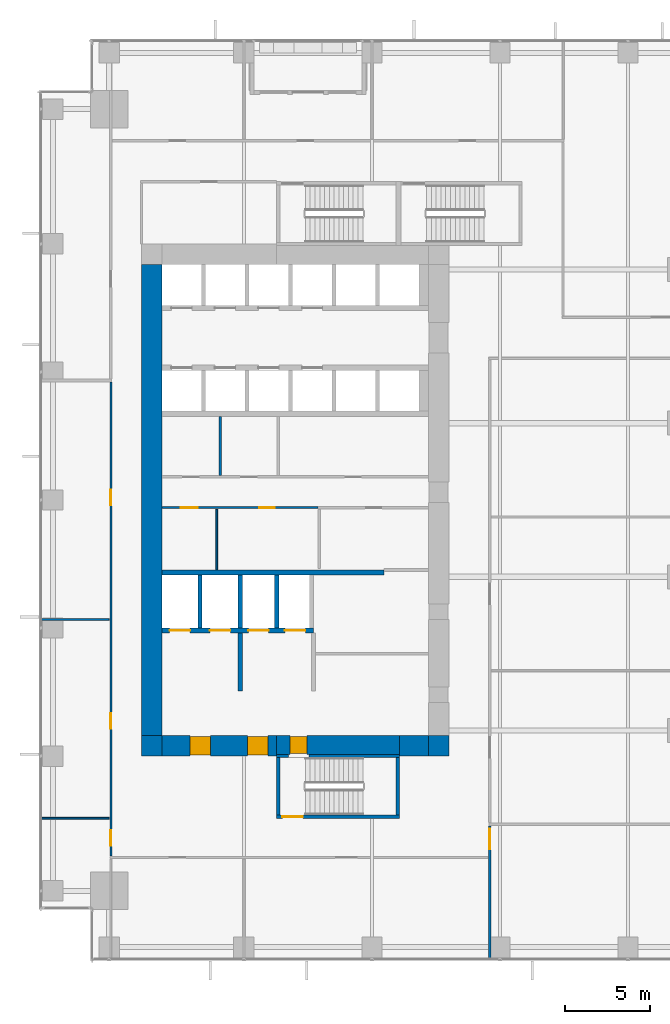
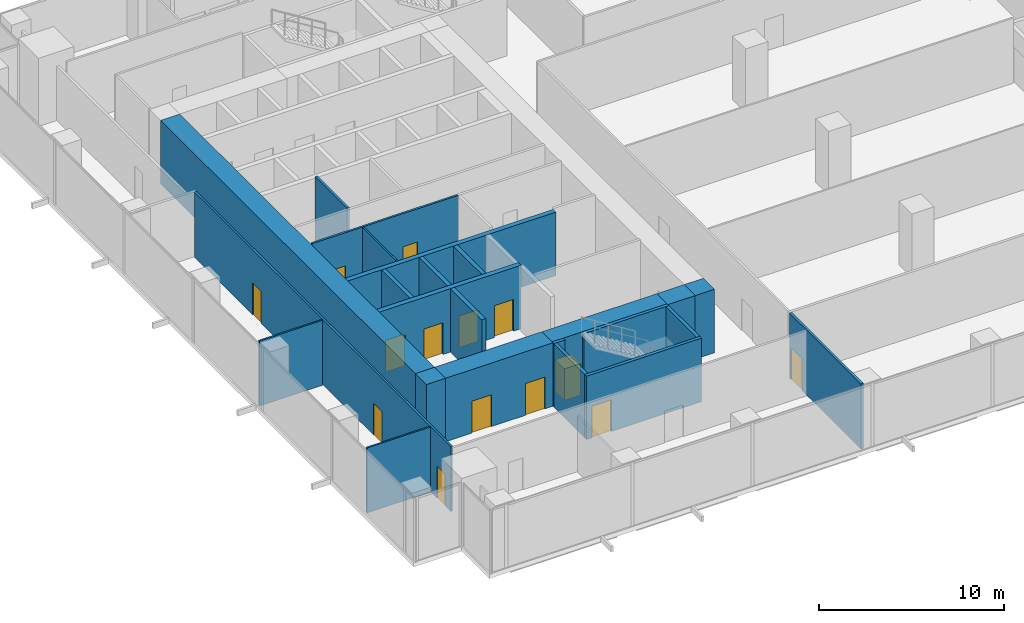
# One storey, part 26 of 32: 24 walls, 14 doors, 14 openings.
"""IFC4 building model written with IfcOpenShell, lengths in metres."""

from ifc_helpers import new_model, si_unit, direction, frame, frame_2d, origin, place, context, subcontext, project, spatial, rectangle, extrude, source, transform, mapped, material, layer, layer_set, type_object, element, fill, save


model = new_model("IFC4")

# Units and contexts
model_context = context("Model", 3, precision=1e-05, world=origin(), true_north=direction((0.0, 1.0)))
body_context = subcontext(model_context, "Body", "Model", "MODEL_VIEW")
ifc_project = project(units=[si_unit("LENGTHUNIT", "METRE"), si_unit("AREAUNIT", "SQUARE_METRE"), si_unit("VOLUMEUNIT", "CUBIC_METRE"), si_unit("PLANEANGLEUNIT", "RADIAN"), si_unit("MASSUNIT", "GRAM", prefix="KILO")], contexts=[model_context])

# Site, building, storey
site_placement = place(None, origin())
site = spatial("IfcSite", under=ifc_project, at=site_placement, CompositionType="ELEMENT")
building_placement = place(site_placement, origin())
building = spatial("IfcBuilding", under=site, at=building_placement, Name="Khomas Fold Tower", CompositionType="ELEMENT")
storey_placement = place(building_placement, frame((0.0, 0.0, 37.5)))
storey = spatial("IfcBuildingStorey", under=building, at=storey_placement, Name="L07", CompositionType="ELEMENT", Elevation=37.5)

# Wall, openings, doors
ifc_material_1 = material(Name="Concrete C70/85", Category="concrete")
ifc_layer_1 = layer(ifc_material_1, 1.199951171875)
ifc_layer_set_1 = layer_set([ifc_layer_1], Name="Concrete C70/85")
wall_type_1 = type_object("IfcWallType", Name="Core wall 1200", PredefinedType="SHEAR", material=ifc_layer_set_1)
shared_shape_1 = source(origin(), body_context, "Body", "SweptSolid", [
    extrude(rectangle(XDim=6.699951171875, YDim=1.199951171875, at=frame_2d((3.35009765625, 0.0))), origin(), (0.0, 0.0, 1.0), 4.199951171875),
])
wall_1_placement = place(storey_placement, frame((7.199951171875, 12.60009765625, 0.0), z_axis=(0.0, 0.0, 1.0), x_axis=(1.0, 0.0, 0.0)))
wall_1 = element("IfcWall", 1, at=wall_1_placement, inside=storey, type_object=wall_type_1, Name="Core wall CW-L-S-B2", PredefinedType="SHEAR", context=body_context, shape_type="MappedRepresentation", body=[
    mapped(shared_shape_1, transform((0.0, 0.0, 0.0))),
])
shared_shape_2 = source(origin(), body_context, "Body", "SweptSolid", [
    extrude(rectangle(XDim=1.199951171875, YDim=2.10009765625, at=frame_2d((0.60009765625, 1.050048828125))), frame((0.0, 0.60986328125, 0.0), z_axis=(0.0, -1.0, 0.0), x_axis=(1.0, 0.0, 0.0)), (0.0, 0.0, 1.0), 1.219970703125),
])
opening_1_placement = place(wall_1_placement, frame((5.0, 0.0, 0.0)))
opening_1 = element("IfcOpeningElement", 2, at=opening_1_placement, cuts=wall_1, Name="Opening 0009", PredefinedType="OPENING", context=body_context, shape_type="MappedRepresentation", body=[
    mapped(shared_shape_2, transform((0.0, 0.0, 0.0))),
])
opening_2_placement = place(wall_1_placement, frame((1.64990234375, 0.0, 0.0)))
opening_2 = element("IfcOpeningElement", 3, at=opening_2_placement, cuts=wall_1, Name="Opening 0009", PredefinedType="OPENING", context=body_context, shape_type="MappedRepresentation", body=[
    mapped(shared_shape_2, transform((0.0, 0.0, 0.0))),
])
ifc_material_2 = material(Name="Steel door leaf", Category="steel")
door_type_1 = type_object("IfcDoorType", Name="Lobby door 1200x2100 right-hand", OperationType="SINGLE_SWING_RIGHT", PredefinedType="DOOR", material=ifc_material_2)
shared_shape_3 = source(origin(), body_context, "Body", "SweptSolid", [
    extrude(rectangle(XDim=1.199951171875, YDim=2.10009765625, at=frame_2d((0.60009765625, 1.050048828125))), frame((0.0, 0.5498046875, 0.0), z_axis=(0.0, -1.0, 0.0), x_axis=(1.0, 0.0, 0.0)), (0.0, 0.0, 1.0), 1.099853515625),
])
door_1_placement = place(opening_1_placement, origin())
door_1 = element("IfcDoor", 4, at=door_1_placement, inside=storey, type_object=door_type_1, Name="Lobby door", OperationType="SINGLE_SWING_RIGHT", OverallHeight=2.10009765625, OverallWidth=1.199951171875, PredefinedType="DOOR", context=body_context, shape_type="MappedRepresentation", body=[
    mapped(shared_shape_3, transform((0.0, 0.0, 0.0))),
])
fill(opening_1, door_1)
door_2_placement = place(opening_2_placement, origin())
door_2 = element("IfcDoor", 5, at=door_2_placement, inside=storey, type_object=door_type_1, Name="Lobby door", OperationType="SINGLE_SWING_RIGHT", OverallHeight=2.10009765625, OverallWidth=1.199951171875, PredefinedType="DOOR", context=body_context, shape_type="MappedRepresentation", body=[
    mapped(shared_shape_3, transform((0.0, 0.0, 0.0))),
])
fill(opening_2, door_2)

# Walls
ifc_material_3 = material(Name="Concrete C70/85", Category="concrete")
ifc_layer_2 = layer(ifc_material_3, 1.199951171875)
ifc_layer_set_2 = layer_set([ifc_layer_2], Name="Concrete C70/85")
wall_type_2 = type_object("IfcWallType", Name="Core corner wall 1200", PredefinedType="SHEAR", material=ifc_layer_set_2)
shared_shape_4 = source(origin(), body_context, "Body", "SweptSolid", [
    extrude(rectangle(XDim=1.199951171875, YDim=1.199951171875, at=frame_2d((0.60009765625, 0.0))), origin(), (0.0, 0.0, 1.0), 4.199951171875),
])
for number, where, z_axis, x_axis, name in (
    (6, (22.800048828125, 12.60009765625, 0.0), (0.0, 0.0, 1.0), (1.0, 0.0, 0.0), "Core wall CW-L-SE-B2"),
    (7, (6.0, 12.60009765625, 0.0), (0.0, 0.0, 1.0), (1.0, 0.0, 0.0), "Core wall CW-L-SW-B2"),
):
    element("IfcWall", number, at=place(storey_placement, frame(where, z_axis=z_axis, x_axis=x_axis)), inside=storey, type_object=wall_type_2, Name=name, PredefinedType="SHEAR", context=body_context, shape_type="MappedRepresentation", body=[
        mapped(shared_shape_4, transform((0.0, 0.0, 0.0))),
    ])

# Wall, opening, door
ifc_material_4 = material(Name="Concrete C70/85", Category="concrete")
ifc_layer_3 = layer(ifc_material_4, 1.10009765625)
ifc_layer_set_3 = layer_set([ifc_layer_3], Name="Concrete C70/85")
wall_type_3 = type_object("IfcWallType", Name="Core wall 1100", PredefinedType="SHEAR", material=ifc_layer_set_3)
shared_shape_5 = source(origin(), body_context, "Body", "SweptSolid", [
    extrude(rectangle(XDim=7.2001953125, YDim=1.10009765625, at=frame_2d((3.60009765625, 0.0))), origin(), (0.0, 0.0, 1.0), 4.199951171875),
])
wall_2_placement = place(storey_placement, frame((13.89990234375, 12.64990234375, 0.0), z_axis=(0.0, 0.0, 1.0), x_axis=(1.0, 0.0, 0.0)))
wall_2 = element("IfcWall", 8, at=wall_2_placement, inside=storey, type_object=wall_type_3, Name="Core wall CW-L-S-B2-1", PredefinedType="SHEAR", context=body_context, shape_type="MappedRepresentation", body=[
    mapped(shared_shape_5, transform((0.0, 0.0, 0.0))),
])
shared_shape_6 = source(origin(), body_context, "Body", "SweptSolid", [
    extrude(rectangle(XDim=1.0, YDim=2.10009765625, at=frame_2d((0.5, 1.050048828125))), frame((0.0, 0.56005859375, 0.0), z_axis=(0.0, -1.0, 0.0), x_axis=(1.0, 0.0, 0.0)), (0.0, 0.0, 1.0), 1.1201171875),
])
opening_3_placement = place(wall_2_placement, frame((0.800048828125, 0.0, 0.0)))
opening_3 = element("IfcOpeningElement", 9, at=opening_3_placement, cuts=wall_2, Name="Opening 0010", PredefinedType="OPENING", context=body_context, shape_type="MappedRepresentation", body=[
    mapped(shared_shape_6, transform((0.0, 0.0, 0.0))),
])
ifc_material_5 = material(Name="Steel door leaf", Category="steel")
door_type_2 = type_object("IfcDoorType", Name="Stair door 1000x2100 right-hand", OperationType="SINGLE_SWING_RIGHT", PredefinedType="DOOR", material=ifc_material_5)
shared_shape_7 = source(origin(), body_context, "Body", "SweptSolid", [
    extrude(rectangle(XDim=1.0, YDim=2.10009765625, at=frame_2d((0.5, 1.050048828125))), frame((0.0, 0.5, 0.0), z_axis=(0.0, -1.0, 0.0), x_axis=(1.0, 0.0, 0.0)), (0.0, 0.0, 1.0), 1.0),
])
door_3_placement = place(opening_3_placement, origin())
door_3 = element("IfcDoor", 10, at=door_3_placement, inside=storey, type_object=door_type_2, Name="Stair door", OperationType="SINGLE_SWING_RIGHT", OverallHeight=2.10009765625, OverallWidth=1.0, PredefinedType="DOOR", context=body_context, shape_type="MappedRepresentation", body=[
    mapped(shared_shape_7, transform((0.0, 0.0, 0.0))),
])
fill(opening_3, door_3)

# Walls
shared_shape_8 = source(origin(), body_context, "Body", "SweptSolid", [
    extrude(rectangle(XDim=1.699951171875, YDim=1.199951171875, at=frame_2d((0.85009765625, 0.0))), origin(), (0.0, 0.0, 1.0), 4.199951171875),
])
wall_3_placement = place(storey_placement, frame((21.10009765625, 12.60009765625, 0.0), z_axis=(0.0, 0.0, 1.0), x_axis=(1.0, 0.0, 0.0)))
element("IfcWall", 11, at=wall_3_placement, inside=storey, type_object=wall_type_1, Name="Core wall CW-L-S-B2-2", PredefinedType="SHEAR", context=body_context, shape_type="MappedRepresentation", body=[
    mapped(shared_shape_8, transform((0.0, 0.0, 0.0))),
])
shared_shape_9 = source(origin(), body_context, "Body", "SweptSolid", [
    extrude(rectangle(XDim=27.60009765625, YDim=1.199951171875, at=frame_2d((13.800048828125, 0.0))), origin(), (0.0, 0.0, 1.0), 4.199951171875),
])
wall_4_placement = place(storey_placement, frame((6.60009765625, 13.199951171875, 0.0), z_axis=(0.0, 0.0, 1.0), x_axis=(0.0, 1.0, 0.0)))
element("IfcWall", 12, at=wall_4_placement, inside=storey, type_object=wall_type_1, Name="Core wall CW-L-W-B2", PredefinedType="SHEAR", context=body_context, shape_type="MappedRepresentation", body=[
    mapped(shared_shape_9, transform((0.0, 0.0, 0.0))),
])
ifc_material_6 = material(Name="Concrete C50/60", Category="concrete")
ifc_layer_4 = layer(ifc_material_6, 0.199951171875)
ifc_layer_set_4 = layer_set([ifc_layer_4], Name="Concrete C50/60")
wall_type_4 = type_object("IfcWallType", Name="Stair wall 200", PredefinedType="SHEAR", material=ifc_layer_set_4)
shared_shape_10 = source(origin(), body_context, "Body", "SweptSolid", [
    extrude(rectangle(XDim=0.7001953125, YDim=0.199951171875, at=frame_2d((0.35009765625, 0.0))), origin(), (0.0, 0.0, 1.0), 4.199951171875),
])
wall_5_placement = place(storey_placement, frame((13.89990234375, 12.0, 0.0), z_axis=(0.0, 0.0, 1.0), x_axis=(1.0, 0.0, 0.0)))
element("IfcWall", 13, at=wall_5_placement, inside=storey, type_object=wall_type_4, Name="Stair wall SW-ST2-N", PredefinedType="SHEAR", context=body_context, shape_type="MappedRepresentation", body=[
    mapped(shared_shape_10, transform((0.0, 0.0, 0.0))),
])
shared_shape_11 = source(origin(), body_context, "Body", "SweptSolid", [
    extrude(rectangle(XDim=5.300048828125, YDim=0.199951171875, at=frame_2d((2.64990234375, 0.0))), origin(), (0.0, 0.0, 1.0), 4.199951171875),
])
wall_6_placement = place(storey_placement, frame((15.800048828125, 12.0, 0.0), z_axis=(0.0, 0.0, 1.0), x_axis=(1.0, 0.0, 0.0)))
element("IfcWall", 14, at=wall_6_placement, inside=storey, type_object=wall_type_4, Name="Stair wall SW-ST2-NB", PredefinedType="SHEAR", context=body_context, shape_type="MappedRepresentation", body=[
    mapped(shared_shape_11, transform((0.0, 0.0, 0.0))),
])

# Wall, opening, door
shared_shape_12 = source(origin(), body_context, "Body", "SweptSolid", [
    extrude(rectangle(XDim=7.2001953125, YDim=0.199951171875, at=frame_2d((3.60009765625, 0.0))), origin(), (0.0, 0.0, 1.0), 4.199951171875),
])
wall_7_placement = place(storey_placement, frame((13.89990234375, 8.449951171875, 0.0), z_axis=(0.0, 0.0, 1.0), x_axis=(1.0, 0.0, 0.0)))
wall_7 = element("IfcWall", 15, at=wall_7_placement, inside=storey, type_object=wall_type_4, Name="Stair wall SW-ST2-S", PredefinedType="SHEAR", context=body_context, shape_type="MappedRepresentation", body=[
    mapped(shared_shape_12, transform((0.0, 0.0, 0.0))),
])
shared_shape_13 = source(origin(), body_context, "Body", "SweptSolid", [
    extrude(rectangle(XDim=1.199951171875, YDim=2.10009765625, at=frame_2d((0.60009765625, 1.050048828125))), frame((0.0, 0.10986328125, 0.0), z_axis=(0.0, -1.0, 0.0), x_axis=(1.0, 0.0, 0.0)), (0.0, 0.0, 1.0), 0.219970703125),
])
opening_4_placement = place(wall_7_placement, frame((0.35009765625, 0.0, 0.0)))
opening_4 = element("IfcOpeningElement", 16, at=opening_4_placement, cuts=wall_7, Name="Opening SD-ST2", PredefinedType="OPENING", context=body_context, shape_type="MappedRepresentation", body=[
    mapped(shared_shape_13, transform((0.0, 0.0, 0.0))),
])
ifc_material_7 = material(Name="Steel door leaf", Category="steel")
door_type_3 = type_object("IfcDoorType", Name="Stair door 1200x2100 right-hand", OperationType="SINGLE_SWING_RIGHT", PredefinedType="DOOR", material=ifc_material_7)
shared_shape_14 = source(origin(), body_context, "Body", "SweptSolid", [
    extrude(rectangle(XDim=1.199951171875, YDim=2.10009765625, at=frame_2d((0.60009765625, 1.050048828125))), frame((0.0, 0.02490234375, 0.0), z_axis=(0.0, -1.0, 0.0), x_axis=(1.0, 0.0, 0.0)), (0.0, 0.0, 1.0), 0.050048828125),
])
door_4_placement = place(opening_4_placement, origin())
door_4 = element("IfcDoor", 17, at=door_4_placement, inside=storey, type_object=door_type_3, Name="Stair door", OperationType="SINGLE_SWING_RIGHT", OverallHeight=2.10009765625, OverallWidth=1.199951171875, PredefinedType="DOOR", context=body_context, shape_type="MappedRepresentation", body=[
    mapped(shared_shape_14, transform((0.0, 0.0, 0.0))),
])
fill(opening_4, door_4)

# Walls
shared_shape_15 = source(origin(), body_context, "Body", "SweptSolid", [
    extrude(rectangle(XDim=3.349853515625, YDim=0.199951171875, at=frame_2d((1.6748046875, 0.0))), origin(), (0.0, 0.0, 1.0), 4.199951171875),
])
for number, where, z_axis, x_axis, name in (
    (18, (21.0, 8.550048828125, 0.0), (0.0, 0.0, 1.0), (0.0, 1.0, 0.0), "Stair wall SW-ST2-E"),
    (19, (14.0, 8.550048828125, 0.0), (0.0, 0.0, 1.0), (0.0, 1.0, 0.0), "Stair wall SW-ST2-W"),
):
    element("IfcWall", number, at=place(storey_placement, frame(where, z_axis=z_axis, x_axis=x_axis)), inside=storey, type_object=wall_type_4, Name=name, PredefinedType="SHEAR", context=body_context, shape_type="MappedRepresentation", body=[
        mapped(shared_shape_15, transform((0.0, 0.0, 0.0))),
    ])
ifc_material_8 = material(Name="Concrete C50/60", Category="concrete")
ifc_layer_5 = layer(ifc_material_8, 0.300048828125)
ifc_layer_set_5 = layer_set([ifc_layer_5], Name="Concrete C50/60")
wall_type_5 = type_object("IfcWallType", Name="Shaft wall 300", PredefinedType="STANDARD", material=ifc_layer_set_5)
shared_shape_16 = source(origin(), body_context, "Body", "SweptSolid", [
    extrude(rectangle(XDim=13.0, YDim=0.300048828125, at=frame_2d((6.5, 0.0))), origin(), (0.0, 0.0, 1.0), 4.199951171875),
])
wall_8_placement = place(storey_placement, frame((7.199951171875, 22.75, 0.0), z_axis=(0.0, 0.0, 1.0), x_axis=(1.0, 0.0, 0.0)))
element("IfcWall", 20, at=wall_8_placement, inside=storey, type_object=wall_type_5, Name="Core wall SW-FS-B", PredefinedType="STANDARD", context=body_context, shape_type="MappedRepresentation", body=[
    mapped(shared_shape_16, transform((0.0, 0.0, 0.0))),
])

# Wall, openings, doors
shared_shape_17 = source(origin(), body_context, "Body", "SweptSolid", [
    extrude(rectangle(XDim=8.875, YDim=0.300048828125, at=frame_2d((4.4375, 0.0))), origin(), (0.0, 0.0, 1.0), 4.199951171875),
])
wall_9_placement = place(storey_placement, frame((7.199951171875, 19.35009765625, 0.0), z_axis=(0.0, 0.0, 1.0), x_axis=(1.0, 0.0, 0.0)))
wall_9 = element("IfcWall", 21, at=wall_9_placement, inside=storey, type_object=wall_type_5, Name="Core wall SW-FS-F", PredefinedType="STANDARD", context=body_context, shape_type="MappedRepresentation", body=[
    mapped(shared_shape_17, transform((0.0, 0.0, 0.0))),
])
shared_shape_18 = source(origin(), body_context, "Body", "SweptSolid", [
    extrude(rectangle(XDim=1.199951171875, YDim=2.10009765625, at=frame_2d((0.60009765625, 1.050048828125))), frame((0.0, 0.159912109375, 0.0), z_axis=(0.0, -1.0, 0.0), x_axis=(1.0, 0.0, 0.0)), (0.0, 0.0, 1.0), 0.320068359375),
])
opening_5_placement = place(wall_9_placement, frame((0.449951171875, 0.0, 0.0)))
opening_5 = element("IfcOpeningElement", 22, at=opening_5_placement, cuts=wall_9, Name="Opening LD-SV1", PredefinedType="OPENING", context=body_context, shape_type="MappedRepresentation", body=[
    mapped(shared_shape_18, transform((0.0, 0.0, 0.0))),
])
opening_6_placement = place(wall_9_placement, frame((2.800048828125, 0.0, 0.0)))
opening_6 = element("IfcOpeningElement", 23, at=opening_6_placement, cuts=wall_9, Name="Opening LD-SV2", PredefinedType="OPENING", context=body_context, shape_type="MappedRepresentation", body=[
    mapped(shared_shape_18, transform((0.0, 0.0, 0.0))),
])
opening_7_placement = place(wall_9_placement, frame((5.050048828125, 0.0, 0.0)))
opening_7 = element("IfcOpeningElement", 24, at=opening_7_placement, cuts=wall_9, Name="Opening LD-FF1", PredefinedType="OPENING", context=body_context, shape_type="MappedRepresentation", body=[
    mapped(shared_shape_18, transform((0.0, 0.0, 0.0))),
])
opening_8_placement = place(wall_9_placement, frame((7.199951171875, 0.0, 0.0)))
opening_8 = element("IfcOpeningElement", 25, at=opening_8_placement, cuts=wall_9, Name="Opening LD-FF2", PredefinedType="OPENING", context=body_context, shape_type="MappedRepresentation", body=[
    mapped(shared_shape_18, transform((0.0, 0.0, 0.0))),
])
ifc_material_9 = material(Name="Steel door leaf", Category="steel")
door_type_4 = type_object("IfcDoorType", Name="Landing door 1200x2100", OperationType="DOUBLE_DOOR_SLIDING", PredefinedType="DOOR", material=ifc_material_9)
door_5_placement = place(opening_5_placement, origin())
door_5 = element("IfcDoor", 26, at=door_5_placement, inside=storey, type_object=door_type_4, Name="Lift landing door", OperationType="DOUBLE_DOOR_SLIDING", OverallHeight=2.10009765625, OverallWidth=1.199951171875, PredefinedType="DOOR", context=body_context, shape_type="MappedRepresentation", body=[
    mapped(shared_shape_14, transform((0.0, 0.0, 0.0))),
])
fill(opening_5, door_5)
door_6_placement = place(opening_6_placement, origin())
door_6 = element("IfcDoor", 27, at=door_6_placement, inside=storey, type_object=door_type_4, Name="Lift landing door", OperationType="DOUBLE_DOOR_SLIDING", OverallHeight=2.10009765625, OverallWidth=1.199951171875, PredefinedType="DOOR", context=body_context, shape_type="MappedRepresentation", body=[
    mapped(shared_shape_14, transform((0.0, 0.0, 0.0))),
])
fill(opening_6, door_6)
door_7_placement = place(opening_7_placement, origin())
door_7 = element("IfcDoor", 28, at=door_7_placement, inside=storey, type_object=door_type_4, Name="Lift landing door", OperationType="DOUBLE_DOOR_SLIDING", OverallHeight=2.10009765625, OverallWidth=1.199951171875, PredefinedType="DOOR", context=body_context, shape_type="MappedRepresentation", body=[
    mapped(shared_shape_14, transform((0.0, 0.0, 0.0))),
])
fill(opening_7, door_7)
door_8_placement = place(opening_8_placement, origin())
door_8 = element("IfcDoor", 29, at=door_8_placement, inside=storey, type_object=door_type_4, Name="Lift landing door", OperationType="DOUBLE_DOOR_SLIDING", OverallHeight=2.10009765625, OverallWidth=1.199951171875, PredefinedType="DOOR", context=body_context, shape_type="MappedRepresentation", body=[
    mapped(shared_shape_14, transform((0.0, 0.0, 0.0))),
])
fill(opening_8, door_8)

# Walls
ifc_material_10 = material(Name="Concrete C50/60", Category="concrete")
ifc_layer_6 = layer(ifc_material_10, 0.25)
ifc_layer_set_6 = layer_set([ifc_layer_6], Name="Concrete C50/60")
wall_type_6 = type_object("IfcWallType", Name="Shaft wall 250", PredefinedType="STANDARD", material=ifc_layer_set_6)
shared_shape_19 = source(origin(), body_context, "Body", "SweptSolid", [
    extrude(rectangle(XDim=3.10009765625, YDim=0.25, at=frame_2d((1.550048828125, 0.0))), origin(), (0.0, 0.0, 1.0), 4.199951171875),
])
for number, where, z_axis, x_axis, name in (
    (30, (9.425048828125, 19.5, 0.0), (0.0, 0.0, 1.0), (0.0, 1.0, 0.0), "Core wall SW-FS-P1"),
    (31, (11.77490234375, 19.5, 0.0), (0.0, 0.0, 1.0), (0.0, 1.0, 0.0), "Core wall SW-FS-P2"),
    (32, (13.925048828125, 19.5, 0.0), (0.0, 0.0, 1.0), (0.0, 1.0, 0.0), "Core wall SW-FS-P3"),
):
    element("IfcWall", number, at=place(storey_placement, frame(where, z_axis=z_axis, x_axis=x_axis)), inside=storey, type_object=wall_type_6, Name=name, PredefinedType="STANDARD", context=body_context, shape_type="MappedRepresentation", body=[
        mapped(shared_shape_19, transform((0.0, 0.0, 0.0))),
    ])
ifc_material_11 = material(Name="Concrete C50/60", Category="concrete")
ifc_layer_7 = layer(ifc_material_11, 0.25)
ifc_layer_set_7 = layer_set([ifc_layer_7], Name="Concrete C50/60")
wall_type_7 = type_object("IfcWallType", Name="Lobby wall 250", PredefinedType="STANDARD", material=ifc_layer_set_7)
shared_shape_20 = source(origin(), body_context, "Body", "SweptSolid", [
    extrude(rectangle(XDim=3.39990234375, YDim=0.25, at=frame_2d((1.699951171875, 0.0))), origin(), (0.0, 0.0, 1.0), 4.199951171875),
])
wall_10_placement = place(storey_placement, frame((11.77490234375, 15.800048828125, 0.0), z_axis=(0.0, 0.0, 1.0), x_axis=(0.0, 1.0, 0.0)))
element("IfcWall", 33, at=wall_10_placement, inside=storey, type_object=wall_type_7, Name="Core wall SW-FS-SEP", PredefinedType="STANDARD", context=body_context, shape_type="MappedRepresentation", body=[
    mapped(shared_shape_20, transform((0.0, 0.0, 0.0))),
])

# Wall, opening, door
ifc_material_12 = material(Name="Plasterboard fire partition")
ifc_layer_8 = layer(ifc_material_12, 0.14990234375)
ifc_layer_set_8 = layer_set([ifc_layer_8], Name="Plasterboard fire partition")
wall_type_8 = type_object("IfcWallType", Name="Plant room wall PW3 150", PredefinedType="PARTITIONING", material=ifc_layer_set_8)
shared_shape_21 = source(origin(), body_context, "Body", "SweptSolid", [
    extrude(rectangle(XDim=7.75, YDim=0.14990234375, at=frame_2d((3.875, 0.0))), origin(), (0.0, 0.0, 1.0), 4.300048828125),
])
wall_11_placement = place(storey_placement, frame((26.39990234375, 0.14990234375, 0.0), z_axis=(0.0, 0.0, 1.0), x_axis=(0.0, 1.0, 0.0)))
wall_11 = element("IfcWall", 34, at=wall_11_placement, inside=storey, type_object=wall_type_8, Name="Plant room wall", PredefinedType="PARTITIONING", context=body_context, shape_type="MappedRepresentation", body=[
    mapped(shared_shape_21, transform((0.0, 0.0, 0.0))),
])
shared_shape_22 = source(origin(), body_context, "Body", "SweptSolid", [
    extrude(rectangle(XDim=1.199951171875, YDim=2.10009765625, at=frame_2d((0.60009765625, 1.050048828125))), frame((0.0, 0.0849609375, 0.0), z_axis=(0.0, -1.0, 0.0), x_axis=(1.0, 0.0, 0.0)), (0.0, 0.0, 1.0), 0.169921875),
])
opening_9_placement = place(wall_11_placement, frame((6.39990234375, 0.0, 0.0)))
opening_9 = element("IfcOpeningElement", 35, at=opening_9_placement, cuts=wall_11, Name="Opening 0011", PredefinedType="OPENING", context=body_context, shape_type="MappedRepresentation", body=[
    mapped(shared_shape_22, transform((0.0, 0.0, 0.0))),
])
ifc_material_13 = material(Name="Steel door leaf", Category="steel")
door_type_5 = type_object("IfcDoorType", Name="Plant room door 1200x2100 right-hand", OperationType="SINGLE_SWING_RIGHT", PredefinedType="DOOR", material=ifc_material_13)
door_9_placement = place(opening_9_placement, origin())
door_9 = element("IfcDoor", 36, at=door_9_placement, inside=storey, type_object=door_type_5, Name="Plant room door", OperationType="SINGLE_SWING_RIGHT", OverallHeight=2.10009765625, OverallWidth=1.199951171875, PredefinedType="DOOR", context=body_context, shape_type="MappedRepresentation", body=[
    mapped(shared_shape_14, transform((0.0, 0.0, 0.0))),
])
fill(opening_9, door_9)

# Wall, openings, doors
ifc_material_14 = material(Name="Plasterboard partition")
ifc_layer_9 = layer(ifc_material_14, 0.125)
ifc_layer_set_9 = layer_set([ifc_layer_9], Name="Plasterboard partition")
wall_type_9 = type_object("IfcWallType", Name="Partition PW2 125", PredefinedType="PARTITIONING", material=ifc_layer_set_9)
shared_shape_23 = source(origin(), body_context, "Body", "SweptSolid", [
    extrude(rectangle(XDim=27.75, YDim=0.125, at=frame_2d((13.875, 0.0))), origin(), (0.0, 0.0, 1.0), 4.300048828125),
])
wall_12_placement = place(storey_placement, frame((4.199951171875, 6.14990234375, 0.0), z_axis=(0.0, 0.0, 1.0), x_axis=(0.0, 1.0, 0.0)))
wall_12 = element("IfcWall", 37, at=wall_12_placement, inside=storey, type_object=wall_type_9, Name="Partition", PredefinedType="PARTITIONING", context=body_context, shape_type="MappedRepresentation", body=[
    mapped(shared_shape_23, transform((0.0, 0.0, 0.0))),
])
shared_shape_24 = source(origin(), body_context, "Body", "SweptSolid", [
    extrude(rectangle(XDim=0.89990234375, YDim=2.10009765625, at=frame_2d((0.449951171875, 1.050048828125))), frame((0.0, 0.072509765625, 0.0), z_axis=(0.0, -1.0, 0.0), x_axis=(1.0, 0.0, 0.0)), (0.0, 0.0, 1.0), 0.14501953125),
])
opening_10_placement = place(wall_12_placement, frame((0.60009765625, 0.0, 0.0)))
opening_10 = element("IfcOpeningElement", 38, at=opening_10_placement, cuts=wall_12, Name="Opening 0008", PredefinedType="OPENING", context=body_context, shape_type="MappedRepresentation", body=[
    mapped(shared_shape_24, transform((0.0, 0.0, 0.0))),
])
opening_11_placement = place(wall_12_placement, frame((7.449951171875, 0.0, 0.0)))
opening_11 = element("IfcOpeningElement", 39, at=opening_11_placement, cuts=wall_12, Name="Opening 0008", PredefinedType="OPENING", context=body_context, shape_type="MappedRepresentation", body=[
    mapped(shared_shape_24, transform((0.0, 0.0, 0.0))),
])
opening_12_placement = place(wall_12_placement, frame((20.550048828125, 0.0, 0.0)))
opening_12 = element("IfcOpeningElement", 40, at=opening_12_placement, cuts=wall_12, Name="Opening 0007", PredefinedType="OPENING", context=body_context, shape_type="MappedRepresentation", body=[
    mapped(shared_shape_24, transform((0.0, 0.0, 0.0))),
])
ifc_material_15 = material(Name="Timber door leaf", Category="wood")
door_type_6 = type_object("IfcDoorType", Name="Door 900x2100 right-hand", OperationType="SINGLE_SWING_RIGHT", PredefinedType="DOOR", material=ifc_material_15)
shared_shape_25 = source(origin(), body_context, "Body", "SweptSolid", [
    extrude(rectangle(XDim=0.89990234375, YDim=2.10009765625, at=frame_2d((0.449951171875, 1.050048828125))), frame((0.0, 0.02490234375, 0.0), z_axis=(0.0, -1.0, 0.0), x_axis=(1.0, 0.0, 0.0)), (0.0, 0.0, 1.0), 0.050048828125),
])
door_10_placement = place(opening_10_placement, origin())
door_10 = element("IfcDoor", 41, at=door_10_placement, inside=storey, type_object=door_type_6, Name="Door", OperationType="SINGLE_SWING_RIGHT", OverallHeight=2.10009765625, OverallWidth=0.89990234375, PredefinedType="DOOR", context=body_context, shape_type="MappedRepresentation", body=[
    mapped(shared_shape_25, transform((0.0, 0.0, 0.0))),
])
fill(opening_10, door_10)
door_11_placement = place(opening_11_placement, origin())
door_11 = element("IfcDoor", 42, at=door_11_placement, inside=storey, type_object=door_type_6, Name="Door", OperationType="SINGLE_SWING_RIGHT", OverallHeight=2.10009765625, OverallWidth=0.89990234375, PredefinedType="DOOR", context=body_context, shape_type="MappedRepresentation", body=[
    mapped(shared_shape_25, transform((0.0, 0.0, 0.0))),
])
fill(opening_11, door_11)
ifc_material_16 = material(Name="Timber door leaf", Category="wood")
door_type_7 = type_object("IfcDoorType", Name="Door 900x2100 left-hand", OperationType="SINGLE_SWING_LEFT", PredefinedType="DOOR", material=ifc_material_16)
door_12_placement = place(opening_12_placement, origin())
door_12 = element("IfcDoor", 43, at=door_12_placement, inside=storey, type_object=door_type_7, Name="Door", OperationType="SINGLE_SWING_LEFT", OverallHeight=2.10009765625, OverallWidth=0.89990234375, PredefinedType="DOOR", context=body_context, shape_type="MappedRepresentation", body=[
    mapped(shared_shape_25, transform((0.0, 0.0, 0.0))),
])
fill(opening_12, door_12)

# Walls
ifc_material_17 = material(Name="Plasterboard partition")
ifc_layer_10 = layer(ifc_material_17, 0.10009765625)
ifc_layer_set_10 = layer_set([ifc_layer_10], Name="Plasterboard partition")
wall_type_10 = type_object("IfcWallType", Name="Partition PW1 100", PredefinedType="PARTITIONING", material=ifc_layer_set_10)
shared_shape_26 = source(origin(), body_context, "Body", "SweptSolid", [
    extrude(rectangle(XDim=3.9501953125, YDim=0.10009765625, at=frame_2d((1.97509765625, 0.0))), origin(), (0.0, 0.0, 1.0), 4.300048828125),
])
for number, where, z_axis, x_axis, name in (
    (44, (0.14990234375, 8.35009765625, 0.0), (0.0, 0.0, 1.0), (1.0, 0.0, 0.0), "Partition"),
    (45, (0.14990234375, 20.0, 0.0), (0.0, 0.0, 1.0), (1.0, 0.0, 0.0), "Partition"),
):
    element("IfcWall", number, at=place(storey_placement, frame(where, z_axis=z_axis, x_axis=x_axis)), inside=storey, type_object=wall_type_10, Name=name, PredefinedType="PARTITIONING", context=body_context, shape_type="MappedRepresentation", body=[
        mapped(shared_shape_26, transform((0.0, 0.0, 0.0))),
    ])
shared_shape_27 = source(origin(), body_context, "Body", "SweptSolid", [
    extrude(rectangle(XDim=3.550048828125, YDim=0.10009765625, at=frame_2d((1.77490234375, 0.0))), origin(), (0.0, 0.0, 1.0), 4.300048828125),
])
wall_13_placement = place(storey_placement, frame((10.39990234375, 22.89990234375, 0.0), z_axis=(0.0, 0.0, 1.0), x_axis=(0.0, 1.0, 0.0)))
element("IfcWall", 46, at=wall_13_placement, inside=storey, type_object=wall_type_10, Name="Partition", PredefinedType="PARTITIONING", context=body_context, shape_type="MappedRepresentation", body=[
    mapped(shared_shape_27, transform((0.0, 0.0, 0.0))),
])
shared_shape_28 = source(origin(), body_context, "Body", "SweptSolid", [
    extrude(rectangle(XDim=3.449951171875, YDim=0.14990234375, at=frame_2d((1.72509765625, 0.0))), origin(), (0.0, 0.0, 1.0), 4.300048828125),
])
wall_14_placement = place(storey_placement, frame((10.60009765625, 28.449951171875, 0.0), z_axis=(0.0, 0.0, 1.0), x_axis=(0.0, 1.0, 0.0)))
element("IfcWall", 47, at=wall_14_placement, inside=storey, type_object=wall_type_8, Name="Plant room wall", PredefinedType="PARTITIONING", context=body_context, shape_type="MappedRepresentation", body=[
    mapped(shared_shape_28, transform((0.0, 0.0, 0.0))),
])

# Wall, openings, doors
shared_shape_29 = source(origin(), body_context, "Body", "SweptSolid", [
    extrude(rectangle(XDim=9.150146484375, YDim=0.125, at=frame_2d((4.5751953125, 0.0))), origin(), (0.0, 0.0, 1.0), 4.300048828125),
])
wall_15_placement = place(storey_placement, frame((7.199951171875, 26.550048828125, 0.0), z_axis=(0.0, 0.0, 1.0), x_axis=(1.0, 0.0, 0.0)))
wall_15 = element("IfcWall", 48, at=wall_15_placement, inside=storey, type_object=wall_type_9, Name="Partition", PredefinedType="PARTITIONING", context=body_context, shape_type="MappedRepresentation", body=[
    mapped(shared_shape_29, transform((0.0, 0.0, 0.0))),
])
shared_shape_30 = source(origin(), body_context, "Body", "SweptSolid", [
    extrude(rectangle(XDim=1.0, YDim=2.10009765625, at=frame_2d((0.5, 1.050048828125))), frame((0.0, 0.072509765625, 0.0), z_axis=(0.0, -1.0, 0.0), x_axis=(1.0, 0.0, 0.0)), (0.0, 0.0, 1.0), 0.14501953125),
])
opening_13_placement = place(wall_15_placement, frame((1.10009765625, 0.0, 0.0)))
opening_13 = element("IfcOpeningElement", 49, at=opening_13_placement, cuts=wall_15, Name="Opening 0014", PredefinedType="OPENING", context=body_context, shape_type="MappedRepresentation", body=[
    mapped(shared_shape_30, transform((0.0, 0.0, 0.0))),
])
opening_14_placement = place(wall_15_placement, frame((5.699951171875, 0.0, 0.0)))
opening_14 = element("IfcOpeningElement", 50, at=opening_14_placement, cuts=wall_15, Name="Opening 0007", PredefinedType="OPENING", context=body_context, shape_type="MappedRepresentation", body=[
    mapped(shared_shape_24, transform((0.0, 0.0, 0.0))),
])
door_13_placement = place(opening_14_placement, origin())
door_13 = element("IfcDoor", 51, at=door_13_placement, inside=storey, type_object=door_type_7, Name="Door", OperationType="SINGLE_SWING_LEFT", OverallHeight=2.10009765625, OverallWidth=0.89990234375, PredefinedType="DOOR", context=body_context, shape_type="MappedRepresentation", body=[
    mapped(shared_shape_25, transform((0.0, 0.0, 0.0))),
])
fill(opening_14, door_13)
ifc_material_18 = material(Name="Timber door leaf", Category="wood")
door_type_8 = type_object("IfcDoorType", Name="WC door 1000x2100 left-hand", OperationType="SINGLE_SWING_LEFT", PredefinedType="DOOR", material=ifc_material_18)
shared_shape_31 = source(origin(), body_context, "Body", "SweptSolid", [
    extrude(rectangle(XDim=1.0, YDim=2.10009765625, at=frame_2d((0.5, 1.050048828125))), frame((0.0, 0.02490234375, 0.0), z_axis=(0.0, -1.0, 0.0), x_axis=(1.0, 0.0, 0.0)), (0.0, 0.0, 1.0), 0.050048828125),
])
door_14_placement = place(opening_13_placement, origin())
door_14 = element("IfcDoor", 52, at=door_14_placement, inside=storey, type_object=door_type_8, Name="WC door", OperationType="SINGLE_SWING_LEFT", OverallHeight=2.10009765625, OverallWidth=1.0, PredefinedType="DOOR", context=body_context, shape_type="MappedRepresentation", body=[
    mapped(shared_shape_31, transform((0.0, 0.0, 0.0))),
])
fill(opening_13, door_14)

save(model, "model.ifc")
